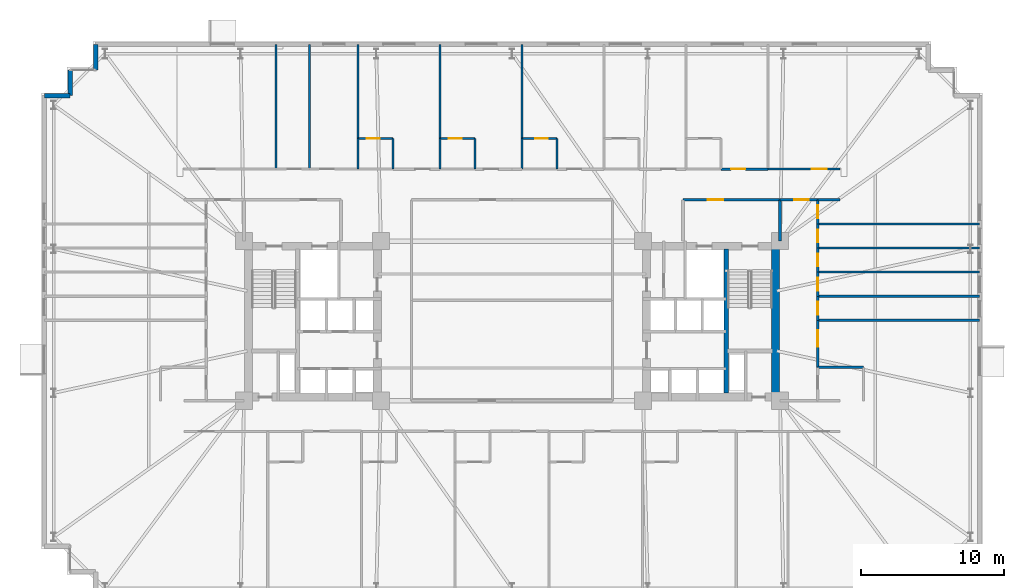
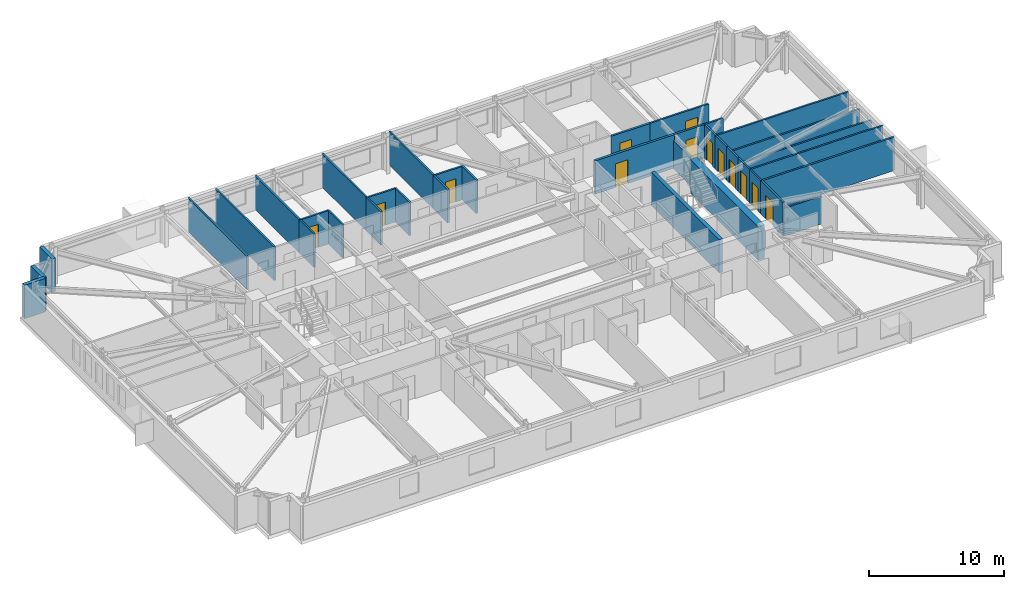
# One storey, part 18 of 22: 37 walls, 13 doors, 13 openings.
"""IFC4 building model written with IfcOpenShell, lengths in metres."""

import ifcopenshell
import ifcopenshell.guid

model = None  # the IFC model being written
_history = None  # IfcOwnerHistory: only IFC2X3 demands one
_inside = {}  # id of a spatial element -> (the spatial element, [elements in it])
_under = {}  # id of a project, library or spatial element -> (it, [spatial elements below it])
_declared = {}  # id of a project -> (the project, [libraries it declares])
_typed = {}  # id of a type object -> (the type object, [elements of that type])
_made_of = {}  # id of a material, layer set ... -> (it, [elements and type objects made of it])


def new_model(schema):
    """Start an empty IFC model of exactly this schema.

    Asked for "IFC4X3", IfcOpenShell would pick the latest addendum, in which some entities
    have other attributes; the version numbers below select the first issue.
    IFC2X3 requires an IfcOwnerHistory on every rooted entity: one is made here for all.
    """
    global model, _history
    if schema == "IFC4X3":
        model = ifcopenshell.file(schema_version=(4, 3, 0, 0))
    else:
        model = ifcopenshell.file(schema=schema)
    _inside.clear()
    _under.clear()
    _declared.clear()
    _typed.clear()
    _made_of.clear()
    _history = None
    if model.schema == "IFC2X3":
        org = make("IfcOrganization", Name="unknown")
        user = make(
            "IfcPersonAndOrganization",
            ThePerson=make("IfcPerson", FamilyName="unknown"),
            TheOrganization=org,
        )
        app = make(
            "IfcApplication",
            ApplicationDeveloper=org,
            Version="unknown",
            ApplicationFullName="unknown",
            ApplicationIdentifier="unknown",
        )
        _history = make(
            "IfcOwnerHistory",
            OwningUser=user,
            OwningApplication=app,
            ChangeAction="ADDED",
            CreationDate=0,
        )
    return model


def make(cls, **values):
    """One entity of the class cls with the attributes given. An attribute that is None is left unset."""
    return model.create_entity(
        cls, **{name: value for name, value in values.items() if value is not None}
    )


def rooted(cls, **values):
    """An entity with a GlobalId (a new one), such as an element, a storey or a relation."""
    return make(cls, GlobalId=ifcopenshell.guid.new(), OwnerHistory=_history, **values)


def si_unit(unit_type, name, prefix=None):
    """IfcSIUnit, for example si_unit("LENGTHUNIT", "METRE", prefix="MILLI")."""
    return make("IfcSIUnit", UnitType=unit_type, Prefix=prefix, Name=name)


def assignment(units):
    """IfcUnitAssignment: the units of a project."""
    return None if units is None else make("IfcUnitAssignment", Units=units)


def point(xyz):
    """IfcCartesianPoint."""
    return None if xyz is None else make("IfcCartesianPoint", Coordinates=xyz)


def direction(xyz):
    """IfcDirection."""
    return None if xyz is None else make("IfcDirection", DirectionRatios=xyz)


def frame(location, z_axis=None, x_axis=None):
    """IfcAxis2Placement3D, a coordinate frame: its origin and axes. An axis left out is left unset."""
    return make(
        "IfcAxis2Placement3D",
        Location=point(location),
        Axis=direction(z_axis),
        RefDirection=direction(x_axis),
    )


def frame_2d(location, x_axis=None):
    """IfcAxis2Placement2D, a coordinate frame in the plane: its origin and x axis."""
    return make(
        "IfcAxis2Placement2D", Location=point(location), RefDirection=direction(x_axis)
    )


def origin():
    """The frame at (0, 0, 0) with its axes left unset."""
    return frame((0.0, 0.0, 0.0))


def place(relative_to, where):
    """IfcLocalPlacement: puts the frame where relative to a parent placement (None: the world)."""
    return make(
        "IfcLocalPlacement", PlacementRelTo=relative_to, RelativePlacement=where
    )


def context(
    kind, dimensions, precision=None, world=None, true_north=None, identifier=None
):
    """IfcGeometricRepresentationContext, for example the 3D "Model" context."""
    return make(
        "IfcGeometricRepresentationContext",
        ContextIdentifier=identifier,
        ContextType=kind,
        CoordinateSpaceDimension=dimensions,
        Precision=precision,
        WorldCoordinateSystem=world,
        TrueNorth=true_north,
    )


def subcontext(parent, identifier, kind, view, scale=None):
    """IfcGeometricRepresentationSubContext, for example "Body" below "Model"."""
    return make(
        "IfcGeometricRepresentationSubContext",
        ContextIdentifier=identifier,
        ContextType=kind,
        ParentContext=parent,
        TargetScale=scale,
        TargetView=view,
    )


def project(units=None, contexts=None):
    """IfcProject with its units and contexts."""
    return rooted(
        "IfcProject",
        Name="project",
        RepresentationContexts=contexts,
        UnitsInContext=assignment(units),
    )


def spatial(cls, under=None, at=None, **own):
    """A site, building, storey or space (cls), placed at a placement, below another one or the project."""
    s = rooted(cls, ObjectPlacement=at, **own)
    if under is not None:
        _under.setdefault(under.id(), (under, []))[1].append(s)
    return s


def profile(cls, at=None, kind="AREA", **sizes):
    """A parametric profile (cls). Its sizes go by their IFC names, for example OverallWidth=200.0."""
    return make(cls, ProfileType=kind, Position=at, **sizes)


def rectangle(**sizes):
    """IfcRectangleProfileDef."""
    return profile("IfcRectangleProfileDef", **sizes)


def extrude(swept, where, along, depth):
    """IfcExtrudedAreaSolid: the profile swept, set in the frame where, extruded along a direction by depth."""
    return make(
        "IfcExtrudedAreaSolid",
        SweptArea=swept,
        Position=where,
        ExtrudedDirection=direction(along),
        Depth=depth,
    )


def shape(context_of_items, identifier, shape_type, items):
    """IfcShapeRepresentation: the items that make up one representation, for example the "Body"."""
    return make(
        "IfcShapeRepresentation",
        ContextOfItems=context_of_items,
        RepresentationIdentifier=identifier,
        RepresentationType=shape_type,
        Items=items,
    )


def material(Name=None, Category=None):
    """IfcMaterial."""
    return make("IfcMaterial", Name=Name, Category=Category)


def layer(
    of_material, thickness, ventilated=None, Name=None, Category=None, Priority=None
):
    """IfcMaterialLayer: one layer of a wall or slab, of a material (None: an air gap)."""
    return make(
        "IfcMaterialLayer",
        Material=of_material,
        LayerThickness=thickness,
        IsVentilated=ventilated,
        Name=Name,
        Category=Category,
        Priority=Priority,
    )


def layer_set(layers, Name=None):
    """IfcMaterialLayerSet."""
    return make("IfcMaterialLayerSet", MaterialLayers=layers, LayerSetName=Name)


def made_of(thing, what):
    """Note that an element or type object is made of a material, layer set ...; save() writes the relation."""
    if what is not None:
        _made_of.setdefault(what.id(), (what, []))[1].append(thing)
    return thing


def type_object(cls, material=None, **own):
    """A type object (cls), such as IfcWallType, which elements share."""
    return made_of(rooted(cls, **own), material)


def element(
    cls,
    number,
    at=None,
    inside=None,
    cuts=None,
    type_object=None,
    material=None,
    context=None,
    identifier="Body",
    shape_type=None,
    held_by="IfcProductDefinitionShape",
    body=None,
    shapes=None,
    **own,
):
    """One element of the class cls, such as IfcWall. Its Tag is "e" and its number.

    at: its placement. inside: the storey or other place that contains it. cuts: it is an
    opening in that element (IfcRelVoidsElement). A single representation is given by context,
    identifier, shape_type and body (its items); several are given by shapes. held_by: the class
    of the entity that holds the representations. save() writes the other relations.
    """
    e = rooted(cls, Tag="e%d" % number, ObjectPlacement=at, **own)
    if body is not None:
        shapes = [shape(context, identifier, shape_type, body)]
    if shapes is not None:
        e.Representation = make(held_by, Representations=shapes)
    if inside is not None:
        _inside.setdefault(inside.id(), (inside, []))[1].append(e)
    if cuts is not None:
        rooted(
            "IfcRelVoidsElement", RelatingBuildingElement=cuts, RelatedOpeningElement=e
        )
    if type_object is not None:
        _typed.setdefault(type_object.id(), (type_object, []))[1].append(e)
    return made_of(e, material)


def fill(opening, filler):
    """IfcRelFillsElement: the door or window that sits in an opening."""
    return rooted(
        "IfcRelFillsElement",
        RelatingOpeningElement=opening,
        RelatedBuildingElement=filler,
    )


def aggregate(whole, parts):
    """IfcRelAggregates: a whole, such as a stair, and the parts it consists of."""
    return rooted("IfcRelAggregates", RelatingObject=whole, RelatedObjects=parts)


def save(model, path):
    """Write the relations noted so far, then the file.

    IfcRelAggregates (storeys below a building ...), IfcRelContainedInSpatialStructure (elements
    in a storey), IfcRelDefinesByType, IfcRelAssociatesMaterial and IfcRelDeclares: one each for
    every whole, place, type object, material and project.
    """
    for whole, parts in _under.values():
        aggregate(whole, parts)
    for where, things in _inside.values():
        rooted(
            "IfcRelContainedInSpatialStructure",
            RelatedElements=things,
            RelatingStructure=where,
        )
    for kind, things in _typed.values():
        rooted("IfcRelDefinesByType", RelatedObjects=things, RelatingType=kind)
    for what, things in _made_of.values():
        rooted("IfcRelAssociatesMaterial", RelatedObjects=things, RelatingMaterial=what)
    for by, libraries in _declared.values():
        rooted("IfcRelDeclares", RelatingContext=by, RelatedDefinitions=libraries)
    model.write(path)


model = new_model("IFC4")

# Units and contexts
model_context = context("Model", 3, precision=1e-05, world=origin(), true_north=direction((0.0, 1.0)))
body_context = subcontext(model_context, "Body", "Model", "MODEL_VIEW")
ifc_project = project(units=[si_unit("LENGTHUNIT", "METRE"), si_unit("AREAUNIT", "SQUARE_METRE"), si_unit("VOLUMEUNIT", "CUBIC_METRE"), si_unit("PLANEANGLEUNIT", "RADIAN"), si_unit("MASSUNIT", "GRAM", prefix="KILO")], contexts=[model_context])

# Site, building, storey
site_placement = place(None, origin())
site = spatial("IfcSite", under=ifc_project, at=site_placement, CompositionType="ELEMENT")
building_placement = place(site_placement, origin())
building = spatial("IfcBuilding", under=site, at=building_placement, Name="Qobustan Lattice House", CompositionType="ELEMENT")
storey_placement = place(building_placement, frame((0.0, 0.0, 53.800048828125)))
storey = spatial("IfcBuildingStorey", under=building, at=storey_placement, Name="L14", CompositionType="ELEMENT", Elevation=53.800048828125)

# Walls
ifc_material_1 = material(Name="Concrete C60/75", Category="concrete")
ifc_layer_1 = layer(ifc_material_1, 0.56005859375)
ifc_layer_set_1 = layer_set([ifc_layer_1], Name="Concrete C60/75")
wall_type_1 = type_object("IfcWallType", Name="WAL-CORE-600", PredefinedType="SHEAR", material=ifc_layer_set_1)
wall_1_placement = place(storey_placement, frame((18.489990234375, -5.050048828125, 0.0), z_axis=(0.0, 0.0, 1.0), x_axis=(0.0, 1.0, 0.0)))
element("IfcWall", 1, at=wall_1_placement, inside=storey, type_object=wall_type_1, Name="L14 split-core shear wall CE-E", PredefinedType="SHEAR", context=body_context, shape_type="SweptSolid", body=[
    extrude(rectangle(XDim=10.10009765625, YDim=0.56005859375, at=frame_2d((5.050048828125, 0.0))), origin(), (0.0, 0.0, 1.0), 3.034912109375),
])
ifc_material_2 = material(Name="Concrete C50/60", Category="concrete")
ifc_layer_2 = layer(ifc_material_2, 0.280029296875)
ifc_layer_set_2 = layer_set([ifc_layer_2], Name="Concrete C50/60")
wall_type_2 = type_object("IfcWallType", Name="WAL-CORE-SPINE-280", PredefinedType="SHEAR", material=ifc_layer_set_2)
wall_2_placement = place(storey_placement, frame((15.02001953125, -5.050048828125, 0.0), z_axis=(0.0, 0.0, 1.0), x_axis=(0.0, 1.0, 0.0)))
element("IfcWall", 2, at=wall_2_placement, inside=storey, type_object=wall_type_2, Name="L14 split-core shear wall CE-M", PredefinedType="SHEAR", context=body_context, shape_type="SweptSolid", body=[
    extrude(rectangle(XDim=10.10009765625, YDim=0.300048828125, at=frame_2d((5.050048828125, 0.0))), origin(), (0.0, 0.0, 1.0), 3.034912109375),
])
ifc_material_3 = material(Name="Precast concrete C40/50", Category="concrete")
ifc_layer_3 = layer(ifc_material_3, 0.320068359375)
ifc_layer_set_3 = layer_set([ifc_layer_3], Name="Precast concrete C40/50")
wall_type_3 = type_object("IfcWallType", Name="WAL-EXT-STONE-320", PredefinedType="SOLIDWALL", material=ifc_layer_set_3)
for number, where, z_axis, x_axis, name in (
    (3, (-32.800048828125, 15.800048828125, 0.0), (0.0, 0.0, 1.0), (1.0, 0.0, 0.0), "L14 exterior limestone-clad wall 6"),
    (4, (-31.0, 15.800048828125, 0.0), (0.0, 0.0, 1.0), (0.0, 1.0, 0.0), "L14 exterior limestone-clad wall 7"),
):
    element("IfcWall", number, at=place(storey_placement, frame(where, z_axis=z_axis, x_axis=x_axis)), inside=storey, type_object=wall_type_3, Name=name, PredefinedType="SOLIDWALL", context=body_context, shape_type="SweptSolid", body=[
        extrude(rectangle(XDim=1.800048828125, YDim=0.320068359375, at=frame_2d((0.89990234375, 0.0))), origin(), (0.0, 0.0, 1.0), 3.034912109375),
    ])
wall_3_placement = place(storey_placement, frame((-29.199951171875, 17.60009765625, 0.0), z_axis=(0.0, 0.0, 1.0), x_axis=(0.0, 1.0, 0.0)))
element("IfcWall", 5, at=wall_3_placement, inside=storey, type_object=wall_type_3, Name="L14 exterior limestone-clad wall 9", PredefinedType="SOLIDWALL", context=body_context, shape_type="SweptSolid", body=[
    extrude(rectangle(XDim=1.7998046875, YDim=0.320068359375, at=frame_2d((0.89990234375, 0.0))), origin(), (0.0, 0.0, 1.0), 3.034912109375),
])

# Wall, opening, door
ifc_material_4 = material(Name="Gypsum fireboard acoustic partition", Category="gypsum")
ifc_layer_4 = layer(ifc_material_4, 0.179931640625)
ifc_layer_set_4 = layer_set([ifc_layer_4], Name="Gypsum fireboard acoustic partition")
wall_type_4 = type_object("IfcWallType", Name="WAL-FIRE-180", PredefinedType="PARTITIONING", material=ifc_layer_set_4)
wall_4_placement = place(storey_placement, frame((21.449951171875, 8.5, 0.0), z_axis=(0.0, 0.0, 1.0), x_axis=(-1.0, 0.0, 0.0)))
wall_4 = element("IfcWall", 6, at=wall_4_placement, inside=storey, type_object=wall_type_4, Name="L14 interior partition 46", PredefinedType="PARTITIONING", context=body_context, shape_type="SweptSolid", body=[
    extrude(rectangle(XDim=2.64990234375, YDim=0.179931640625, at=frame_2d((1.324951171875, 0.0))), origin(), (0.0, 0.0, 1.0), 3.034912109375),
])
opening_1_placement = place(wall_4_placement, frame((0.64111328125, 0.0, 0.0)))
opening_1 = element("IfcOpeningElement", 7, at=opening_1_placement, cuts=wall_4, Name="Opening FD-02", PredefinedType="OPENING", context=body_context, shape_type="SweptSolid", body=[
    extrude(rectangle(XDim=1.0, YDim=2.14990234375, at=frame_2d((0.5, 1.074951171875))), frame((0.0, 0.099853515625, 0.0), z_axis=(0.0, -1.0, 0.0), x_axis=(1.0, 0.0, 0.0)), (0.0, 0.0, 1.0), 0.199951171875),
])
ifc_material_5 = material(Name="Persian walnut timber and steel frame door", Category="steel")
door_type_1 = type_object("IfcDoorType", Name="DOR-UNIT-FD-1000x2150", OperationType="NOTDEFINED", PredefinedType="DOOR", material=ifc_material_5)
door_1_placement = place(opening_1_placement, origin())
door_1 = element("IfcDoor", 8, at=door_1_placement, inside=storey, type_object=door_type_1, Name="L14 North-east floor corridor to Residence entrance hall L14E door", OperationType="SINGLE_SWING_RIGHT", OverallHeight=2.14990234375, OverallWidth=1.0, PredefinedType="DOOR", context=body_context, shape_type="SweptSolid", body=[
    extrude(rectangle(XDim=1.0, YDim=2.14990234375, at=frame_2d((0.5, 1.074951171875))), frame((0.0, 0.02490234375, 0.0), z_axis=(0.0, -1.0, 0.0), x_axis=(1.0, 0.0, 0.0)), (0.0, 0.0, 1.0), 0.050048828125),
])
fill(opening_1, door_1)

wall_5_placement = place(storey_placement, frame((14.64990234375, 10.64990234375, 0.0), z_axis=(0.0, 0.0, 1.0), x_axis=(1.0, 0.0, 0.0)))
wall_5 = element("IfcWall", 9, at=wall_5_placement, inside=storey, type_object=wall_type_4, Name="L14 interior partition 53", PredefinedType="PARTITIONING", context=body_context, shape_type="SweptSolid", body=[
    extrude(rectangle(XDim=3.300048828125, YDim=0.179931640625, at=frame_2d((1.64990234375, 0.0))), origin(), (0.0, 0.0, 1.0), 3.034912109375),
])
opening_2_placement = place(wall_5_placement, frame((0.722412109375, 0.0, 0.0)))
opening_2 = element("IfcOpeningElement", 10, at=opening_2_placement, cuts=wall_5, Name="Opening FD-02", PredefinedType="OPENING", context=body_context, shape_type="SweptSolid", body=[
    extrude(rectangle(XDim=1.0, YDim=2.14990234375, at=frame_2d((0.5, 1.074951171875))), frame((0.0, 0.099853515625, 0.0), z_axis=(0.0, -1.0, 0.0), x_axis=(1.0, 0.0, 0.0)), (0.0, 0.0, 1.0), 0.199951171875),
])
door_2_placement = place(opening_2_placement, origin())
door_2 = element("IfcDoor", 11, at=door_2_placement, inside=storey, type_object=door_type_1, Name="L14 North-east floor corridor to Kitchenette and studio apartment L14-N7 door", OperationType="SINGLE_SWING_LEFT", OverallHeight=2.14990234375, OverallWidth=1.0, PredefinedType="DOOR", context=body_context, shape_type="SweptSolid", body=[
    extrude(rectangle(XDim=1.0, YDim=2.14990234375, at=frame_2d((0.5, 1.074951171875))), frame((0.0, 0.02490234375, 0.0), z_axis=(0.0, -1.0, 0.0), x_axis=(1.0, 0.0, 0.0)), (0.0, 0.0, 1.0), 0.050048828125),
])
fill(opening_2, door_2)

# Wall
ifc_material_6 = material(Name="Acoustic twin-stud gypsum partition", Category="gypsum")
ifc_layer_5 = layer(ifc_material_6, 0.14990234375)
ifc_layer_set_5 = layer_set([ifc_layer_5], Name="Acoustic twin-stud gypsum partition")
wall_type_5 = type_object("IfcWallType", Name="WAL-PART-150", PredefinedType="PARTITIONING", material=ifc_layer_set_5)
wall_6_placement = place(storey_placement, frame((23.0, 8.5, 0.0), z_axis=(0.0, 0.0, 1.0), x_axis=(-1.0, 0.0, 0.0)))
element("IfcWall", 12, at=wall_6_placement, inside=storey, type_object=wall_type_5, Name="L14 interior partition 47", PredefinedType="PARTITIONING", context=body_context, shape_type="SweptSolid", body=[
    extrude(rectangle(XDim=1.550048828125, YDim=0.14990234375, at=frame_2d((0.77490234375, 0.0))), origin(), (0.0, 0.0, 1.0), 3.034912109375),
])

# Wall, opening, door
wall_7_placement = place(storey_placement, frame((17.949951171875, 10.64990234375, 0.0), z_axis=(0.0, 0.0, 1.0), x_axis=(1.0, 0.0, 0.0)))
wall_7 = element("IfcWall", 13, at=wall_7_placement, inside=storey, type_object=wall_type_5, Name="L14 interior partition 55", PredefinedType="PARTITIONING", context=body_context, shape_type="SweptSolid", body=[
    extrude(rectangle(XDim=5.050048828125, YDim=0.14990234375, at=frame_2d((2.52490234375, 0.0))), origin(), (0.0, 0.0, 1.0), 3.034912109375),
])
opening_3_placement = place(wall_7_placement, frame((3.06494140625, 0.0, 0.0)))
opening_3 = element("IfcOpeningElement", 14, at=opening_3_placement, cuts=wall_7, Name="Opening ID-02", PredefinedType="OPENING", context=body_context, shape_type="SweptSolid", body=[
    extrude(rectangle(XDim=1.050048828125, YDim=2.14990234375, at=frame_2d((0.52490234375, 1.074951171875))), frame((0.0, 0.0849609375, 0.0), z_axis=(0.0, -1.0, 0.0), x_axis=(1.0, 0.0, 0.0)), (0.0, 0.0, 1.0), 0.169921875),
])
ifc_material_7 = material(Name="Persian walnut timber and steel frame door", Category="steel")
door_type_2 = type_object("IfcDoorType", Name="DOR-STUDY-1050x2150", OperationType="NOTDEFINED", PredefinedType="DOOR", material=ifc_material_7)
door_3_placement = place(opening_3_placement, origin())
door_3 = element("IfcDoor", 15, at=door_3_placement, inside=storey, type_object=door_type_2, Name="L14 North-east floor corridor to Focus study room N8 door", OperationType="SINGLE_SWING_RIGHT", OverallHeight=2.14990234375, OverallWidth=1.050048828125, PredefinedType="DOOR", context=body_context, shape_type="SweptSolid", body=[
    extrude(rectangle(XDim=1.050048828125, YDim=2.14990234375, at=frame_2d((0.52490234375, 1.074951171875))), frame((0.0, 0.02490234375, 0.0), z_axis=(0.0, -1.0, 0.0), x_axis=(1.0, 0.0, 0.0)), (0.0, 0.0, 1.0), 0.050048828125),
])
fill(opening_3, door_3)

wall_8_placement = place(storey_placement, frame((21.449951171875, 1.73193359375, 0.0), z_axis=(0.0, 0.0, 1.0), x_axis=(0.0, -1.0, 0.0)))
wall_8 = element("IfcWall", 16, at=wall_8_placement, inside=storey, type_object=wall_type_5, Name="L14 interior partition 97", PredefinedType="PARTITIONING", context=body_context, shape_type="SweptSolid", body=[
    extrude(rectangle(XDim=1.69189453125, YDim=0.14990234375, at=frame_2d((0.845947265625, 0.0))), origin(), (0.0, 0.0, 1.0), 3.034912109375),
])
opening_4_placement = place(wall_8_placement, frame((0.39599609375, 0.0, 0.0)))
opening_4 = element("IfcOpeningElement", 17, at=opening_4_placement, cuts=wall_8, Name="Opening WD-01", PredefinedType="OPENING", context=body_context, shape_type="SweptSolid", body=[
    extrude(rectangle(XDim=0.89990234375, YDim=2.10009765625, at=frame_2d((0.449951171875, 1.050048828125))), frame((0.0, 0.0849609375, 0.0), z_axis=(0.0, -1.0, 0.0), x_axis=(1.0, 0.0, 0.0)), (0.0, 0.0, 1.0), 0.169921875),
])
ifc_material_8 = material(Name="Persian walnut timber and steel frame door", Category="steel")
door_type_3 = type_object("IfcDoorType", Name="DOR-WET-900x2100", OperationType="NOTDEFINED", PredefinedType="DOOR", material=ifc_material_8)
door_4_placement = place(opening_4_placement, origin())
door_4 = element("IfcDoor", 18, at=door_4_placement, inside=storey, type_object=door_type_3, Name="L14 Residence entrance hall L14E to Cluster bedroom L14E1 door", OperationType="SINGLE_SWING_LEFT", OverallHeight=2.10009765625, OverallWidth=0.89990234375, PredefinedType="DOOR", context=body_context, shape_type="SweptSolid", body=[
    extrude(rectangle(XDim=0.89990234375, YDim=2.10009765625, at=frame_2d((0.449951171875, 1.050048828125))), frame((0.0, 0.02490234375, 0.0), z_axis=(0.0, -1.0, 0.0), x_axis=(1.0, 0.0, 0.0)), (0.0, 0.0, 1.0), 0.050048828125),
])
fill(opening_4, door_4)

wall_9_placement = place(storey_placement, frame((21.449951171875, 3.424072265625, 0.0), z_axis=(0.0, 0.0, 1.0), x_axis=(0.0, -1.0, 0.0)))
wall_9 = element("IfcWall", 19, at=wall_9_placement, inside=storey, type_object=wall_type_5, Name="L14 interior partition 98", PredefinedType="PARTITIONING", context=body_context, shape_type="SweptSolid", body=[
    extrude(rectangle(XDim=1.692138671875, YDim=0.14990234375, at=frame_2d((0.84619140625, 0.0))), origin(), (0.0, 0.0, 1.0), 3.034912109375),
])
opening_5_placement = place(wall_9_placement, frame((0.39599609375, 0.0, 0.0)))
opening_5 = element("IfcOpeningElement", 20, at=opening_5_placement, cuts=wall_9, Name="Opening WD-01", PredefinedType="OPENING", context=body_context, shape_type="SweptSolid", body=[
    extrude(rectangle(XDim=0.89990234375, YDim=2.10009765625, at=frame_2d((0.449951171875, 1.050048828125))), frame((0.0, 0.0849609375, 0.0), z_axis=(0.0, -1.0, 0.0), x_axis=(1.0, 0.0, 0.0)), (0.0, 0.0, 1.0), 0.169921875),
])
door_5_placement = place(opening_5_placement, origin())
door_5 = element("IfcDoor", 21, at=door_5_placement, inside=storey, type_object=door_type_3, Name="L14 Residence entrance hall L14E to Cluster bedroom L14E2 door", OperationType="SINGLE_SWING_RIGHT", OverallHeight=2.10009765625, OverallWidth=0.89990234375, PredefinedType="DOOR", context=body_context, shape_type="SweptSolid", body=[
    extrude(rectangle(XDim=0.89990234375, YDim=2.10009765625, at=frame_2d((0.449951171875, 1.050048828125))), frame((0.0, 0.02490234375, 0.0), z_axis=(0.0, -1.0, 0.0), x_axis=(1.0, 0.0, 0.0)), (0.0, 0.0, 1.0), 0.050048828125),
])
fill(opening_5, door_5)

wall_10_placement = place(storey_placement, frame((21.449951171875, 5.115966796875, 0.0), z_axis=(0.0, 0.0, 1.0), x_axis=(0.0, -1.0, 0.0)))
wall_10 = element("IfcWall", 22, at=wall_10_placement, inside=storey, type_object=wall_type_5, Name="L14 interior partition 99", PredefinedType="PARTITIONING", context=body_context, shape_type="SweptSolid", body=[
    extrude(rectangle(XDim=1.69189453125, YDim=0.14990234375, at=frame_2d((0.845947265625, 0.0))), origin(), (0.0, 0.0, 1.0), 3.034912109375),
])
opening_6_placement = place(wall_10_placement, frame((0.39599609375, 0.0, 0.0)))
opening_6 = element("IfcOpeningElement", 23, at=opening_6_placement, cuts=wall_10, Name="Opening WD-01", PredefinedType="OPENING", context=body_context, shape_type="SweptSolid", body=[
    extrude(rectangle(XDim=0.89990234375, YDim=2.10009765625, at=frame_2d((0.449951171875, 1.050048828125))), frame((0.0, 0.0849609375, 0.0), z_axis=(0.0, -1.0, 0.0), x_axis=(1.0, 0.0, 0.0)), (0.0, 0.0, 1.0), 0.169921875),
])
door_6_placement = place(opening_6_placement, origin())
door_6 = element("IfcDoor", 24, at=door_6_placement, inside=storey, type_object=door_type_3, Name="L14 Residence entrance hall L14E to Cluster bedroom L14E3 door", OperationType="SINGLE_SWING_LEFT", OverallHeight=2.10009765625, OverallWidth=0.89990234375, PredefinedType="DOOR", context=body_context, shape_type="SweptSolid", body=[
    extrude(rectangle(XDim=0.89990234375, YDim=2.10009765625, at=frame_2d((0.449951171875, 1.050048828125))), frame((0.0, 0.02490234375, 0.0), z_axis=(0.0, -1.0, 0.0), x_axis=(1.0, 0.0, 0.0)), (0.0, 0.0, 1.0), 0.050048828125),
])
fill(opening_6, door_6)

wall_11_placement = place(storey_placement, frame((21.449951171875, 6.80810546875, 0.0), z_axis=(0.0, 0.0, 1.0), x_axis=(0.0, -1.0, 0.0)))
wall_11 = element("IfcWall", 25, at=wall_11_placement, inside=storey, type_object=wall_type_5, Name="L14 interior partition 100", PredefinedType="PARTITIONING", context=body_context, shape_type="SweptSolid", body=[
    extrude(rectangle(XDim=1.692138671875, YDim=0.14990234375, at=frame_2d((0.84619140625, 0.0))), origin(), (0.0, 0.0, 1.0), 3.034912109375),
])
opening_7_placement = place(wall_11_placement, frame((0.39599609375, 0.0, 0.0)))
opening_7 = element("IfcOpeningElement", 26, at=opening_7_placement, cuts=wall_11, Name="Opening WD-01", PredefinedType="OPENING", context=body_context, shape_type="SweptSolid", body=[
    extrude(rectangle(XDim=0.89990234375, YDim=2.10009765625, at=frame_2d((0.449951171875, 1.050048828125))), frame((0.0, 0.0849609375, 0.0), z_axis=(0.0, -1.0, 0.0), x_axis=(1.0, 0.0, 0.0)), (0.0, 0.0, 1.0), 0.169921875),
])
door_7_placement = place(opening_7_placement, origin())
door_7 = element("IfcDoor", 27, at=door_7_placement, inside=storey, type_object=door_type_3, Name="L14 Residence entrance hall L14E to Cluster bedroom L14E4 door", OperationType="SINGLE_SWING_RIGHT", OverallHeight=2.10009765625, OverallWidth=0.89990234375, PredefinedType="DOOR", context=body_context, shape_type="SweptSolid", body=[
    extrude(rectangle(XDim=0.89990234375, YDim=2.10009765625, at=frame_2d((0.449951171875, 1.050048828125))), frame((0.0, 0.02490234375, 0.0), z_axis=(0.0, -1.0, 0.0), x_axis=(1.0, 0.0, 0.0)), (0.0, 0.0, 1.0), 0.050048828125),
])
fill(opening_7, door_7)

wall_12_placement = place(storey_placement, frame((21.449951171875, 8.5, 0.0), z_axis=(0.0, 0.0, 1.0), x_axis=(0.0, -1.0, 0.0)))
wall_12 = element("IfcWall", 28, at=wall_12_placement, inside=storey, type_object=wall_type_5, Name="L14 interior partition 101", PredefinedType="PARTITIONING", context=body_context, shape_type="SweptSolid", body=[
    extrude(rectangle(XDim=1.69189453125, YDim=0.14990234375, at=frame_2d((0.845947265625, 0.0))), origin(), (0.0, 0.0, 1.0), 3.034912109375),
])
opening_8_placement = place(wall_12_placement, frame((0.39599609375, 0.0, 0.0)))
opening_8 = element("IfcOpeningElement", 29, at=opening_8_placement, cuts=wall_12, Name="Opening WD-01", PredefinedType="OPENING", context=body_context, shape_type="SweptSolid", body=[
    extrude(rectangle(XDim=0.89990234375, YDim=2.10009765625, at=frame_2d((0.449951171875, 1.050048828125))), frame((0.0, 0.0849609375, 0.0), z_axis=(0.0, -1.0, 0.0), x_axis=(1.0, 0.0, 0.0)), (0.0, 0.0, 1.0), 0.169921875),
])
door_8_placement = place(opening_8_placement, origin())
door_8 = element("IfcDoor", 30, at=door_8_placement, inside=storey, type_object=door_type_3, Name="L14 Residence entrance hall L14E to Cluster bedroom L14E5 door", OperationType="SINGLE_SWING_LEFT", OverallHeight=2.10009765625, OverallWidth=0.89990234375, PredefinedType="DOOR", context=body_context, shape_type="SweptSolid", body=[
    extrude(rectangle(XDim=0.89990234375, YDim=2.10009765625, at=frame_2d((0.449951171875, 1.050048828125))), frame((0.0, 0.02490234375, 0.0), z_axis=(0.0, -1.0, 0.0), x_axis=(1.0, 0.0, 0.0)), (0.0, 0.0, 1.0), 0.050048828125),
])
fill(opening_8, door_8)

# Walls
wall_13_placement = place(storey_placement, frame((21.449951171875, 1.73193359375, 0.0), z_axis=(0.0, 0.0, 1.0), x_axis=(1.0, 0.0, 0.0)))
element("IfcWall", 31, at=wall_13_placement, inside=storey, type_object=wall_type_5, Name="L14 interior partition 105", PredefinedType="PARTITIONING", context=body_context, shape_type="SweptSolid", body=[
    extrude(rectangle(XDim=11.35009765625, YDim=0.14990234375, at=frame_2d((5.675048828125, 0.0))), origin(), (0.0, 0.0, 1.0), 3.034912109375),
])
for number, where, z_axis, x_axis, name in (
    (32, (21.449951171875, 3.424072265625, 0.0), (0.0, 0.0, 1.0), (1.0, 0.0, 0.0), "L14 interior partition 106"),
    (33, (21.449951171875, 5.115966796875, 0.0), (0.0, 0.0, 1.0), (1.0, 0.0, 0.0), "L14 interior partition 107"),
):
    element("IfcWall", number, at=place(storey_placement, frame(where, z_axis=z_axis, x_axis=x_axis)), inside=storey, type_object=wall_type_5, Name=name, PredefinedType="PARTITIONING", context=body_context, shape_type="SweptSolid", body=[
        extrude(rectangle(XDim=11.35009765625, YDim=0.14990234375, at=frame_2d((5.675048828125, 0.0))), origin(), (0.0, 0.0, 1.0), 2.52001953125),
    ])
wall_14_placement = place(storey_placement, frame((21.449951171875, 6.80810546875, 0.0), z_axis=(0.0, 0.0, 1.0), x_axis=(1.0, 0.0, 0.0)))
element("IfcWall", 34, at=wall_14_placement, inside=storey, type_object=wall_type_5, Name="L14 interior partition 108", PredefinedType="PARTITIONING", context=body_context, shape_type="SweptSolid", body=[
    extrude(rectangle(XDim=11.35009765625, YDim=0.14990234375, at=frame_2d((5.675048828125, 0.0))), origin(), (0.0, 0.0, 1.0), 3.034912109375),
])
for number, where, z_axis, x_axis, name in (
    (35, (-10.800048828125, 19.39990234375, 0.0), (0.0, 0.0, 1.0), (0.0, -1.0, 0.0), "L14 interior partition 111"),
    (36, (-5.050048828125, 19.39990234375, 0.0), (0.0, 0.0, 1.0), (0.0, -1.0, 0.0), "L14 interior partition 115"),
    (37, (0.699951171875, 19.39990234375, 0.0), (0.0, 0.0, 1.0), (0.0, -1.0, 0.0), "L14 interior partition 119"),
):
    element("IfcWall", number, at=place(storey_placement, frame(where, z_axis=z_axis, x_axis=x_axis)), inside=storey, type_object=wall_type_5, Name=name, PredefinedType="PARTITIONING", context=body_context, shape_type="SweptSolid", body=[
        extrude(rectangle(XDim=6.599853515625, YDim=0.14990234375, at=frame_2d((3.2998046875, 0.0))), origin(), (0.0, 0.0, 1.0), 3.034912109375),
    ])

# Wall, opening, door
ifc_material_9 = material(Name="High-mass acoustic twin-stud partition", Category="gypsum")
ifc_layer_6 = layer(ifc_material_9, 0.1650390625)
ifc_layer_set_6 = layer_set([ifc_layer_6], Name="High-mass acoustic twin-stud partition")
wall_type_6 = type_object("IfcWallType", Name="WAL-PART-165", PredefinedType="PARTITIONING", material=ifc_layer_set_6)
wall_15_placement = place(storey_placement, frame((21.449951171875, 0.0400390625, 0.0), z_axis=(0.0, 0.0, 1.0), x_axis=(0.0, -1.0, 0.0)))
wall_15 = element("IfcWall", 38, at=wall_15_placement, inside=storey, type_object=wall_type_6, Name="L14 interior partition 96", PredefinedType="PARTITIONING", context=body_context, shape_type="SweptSolid", body=[
    extrude(rectangle(XDim=3.2900390625, YDim=0.1650390625, at=frame_2d((1.64501953125, 0.0))), origin(), (0.0, 0.0, 1.0), 3.034912109375),
])
opening_9_placement = place(wall_15_placement, frame((0.702392578125, 0.0, 0.0)))
opening_9 = element("IfcOpeningElement", 39, at=opening_9_placement, cuts=wall_15, Name="Opening ID-03", PredefinedType="OPENING", context=body_context, shape_type="SweptSolid", body=[
    extrude(rectangle(XDim=1.14990234375, YDim=2.14990234375, at=frame_2d((0.574951171875, 1.074951171875))), frame((0.0, 0.092529296875, 0.0), z_axis=(0.0, -1.0, 0.0), x_axis=(1.0, 0.0, 0.0)), (0.0, 0.0, 1.0), 0.18505859375),
])
ifc_material_10 = material(Name="Persian walnut timber and steel frame door", Category="steel")
door_type_4 = type_object("IfcDoorType", Name="DOR-KITCH-1150x2150", OperationType="NOTDEFINED", PredefinedType="DOOR", material=ifc_material_10)
door_9_placement = place(opening_9_placement, origin())
door_9 = element("IfcDoor", 40, at=door_9_placement, inside=storey, type_object=door_type_4, Name="L14 Residence entrance hall L14E to Shared kitchen L14E door", OperationType="SINGLE_SWING_RIGHT", OverallHeight=2.14990234375, OverallWidth=1.14990234375, PredefinedType="DOOR", context=body_context, shape_type="SweptSolid", body=[
    extrude(rectangle(XDim=1.14990234375, YDim=2.14990234375, at=frame_2d((0.574951171875, 1.074951171875))), frame((0.0, 0.02490234375, 0.0), z_axis=(0.0, -1.0, 0.0), x_axis=(1.0, 0.0, 0.0)), (0.0, 0.0, 1.0), 0.050048828125),
])
fill(opening_9, door_9)

# Wall
wall_16_placement = place(storey_placement, frame((21.449951171875, 0.0400390625, 0.0), z_axis=(0.0, 0.0, 1.0), x_axis=(1.0, 0.0, 0.0)))
element("IfcWall", 41, at=wall_16_placement, inside=storey, type_object=wall_type_6, Name="L14 interior partition 104", PredefinedType="PARTITIONING", context=body_context, shape_type="SweptSolid", body=[
    extrude(rectangle(XDim=11.35009765625, YDim=0.1650390625, at=frame_2d((5.675048828125, 0.0))), origin(), (0.0, 0.0, 1.0), 3.034912109375),
])

# Wall, opening, door
ifc_material_11 = material(Name="Two-hour gypsum fireboard acoustic partition", Category="gypsum")
ifc_layer_7 = layer(ifc_material_11, 0.199951171875)
ifc_layer_set_7 = layer_set([ifc_layer_7], Name="Two-hour gypsum fireboard acoustic partition")
wall_type_7 = type_object("IfcWallType", Name="WAL-PROT-200", PredefinedType="PARTITIONING", material=ifc_layer_set_7)
wall_17_placement = place(storey_placement, frame((18.800048828125, 8.5, 0.0), z_axis=(0.0, 0.0, 1.0), x_axis=(-1.0, 0.0, 0.0)))
wall_17 = element("IfcWall", 42, at=wall_17_placement, inside=storey, type_object=wall_type_7, Name="L14 interior partition 20", PredefinedType="PARTITIONING", context=body_context, shape_type="SweptSolid", body=[
    extrude(rectangle(XDim=6.800048828125, YDim=0.199951171875, at=frame_2d((3.39990234375, 0.0))), origin(), (0.0, 0.0, 1.0), 3.034912109375),
])
opening_10_placement = place(wall_17_placement, frame((3.985107421875, 0.0, 0.0)))
opening_10 = element("IfcOpeningElement", 43, at=opening_10_placement, cuts=wall_17, Name="Opening SD-01", PredefinedType="OPENING", context=body_context, shape_type="SweptSolid", body=[
    extrude(rectangle(XDim=1.10009765625, YDim=2.14990234375, at=frame_2d((0.550048828125, 1.074951171875))), frame((0.0, 0.10986328125, 0.0), z_axis=(0.0, -1.0, 0.0), x_axis=(1.0, 0.0, 0.0)), (0.0, 0.0, 1.0), 0.219970703125),
])
ifc_material_12 = material(Name="Persian walnut timber and steel frame door", Category="steel")
door_type_5 = type_object("IfcDoorType", Name="DOR-STAIR-FD-1100x2150", OperationType="NOTDEFINED", PredefinedType="DOOR", material=ifc_material_12)
door_10_placement = place(opening_10_placement, origin())
door_10 = element("IfcDoor", 44, at=door_10_placement, inside=storey, type_object=door_type_5, Name="L14 East firefighting lift lobby to North-east floor corridor door", OperationType="SINGLE_SWING_LEFT", OverallHeight=2.14990234375, OverallWidth=1.10009765625, PredefinedType="DOOR", context=body_context, shape_type="SweptSolid", body=[
    extrude(rectangle(XDim=1.10009765625, YDim=2.14990234375, at=frame_2d((0.550048828125, 1.074951171875))), frame((0.0, 0.02490234375, 0.0), z_axis=(0.0, -1.0, 0.0), x_axis=(1.0, 0.0, 0.0)), (0.0, 0.0, 1.0), 0.050048828125),
])
fill(opening_10, door_10)

# Walls
wall_18_placement = place(storey_placement, frame((18.800048828125, 5.60009765625, 0.0), z_axis=(0.0, 0.0, 1.0), x_axis=(0.0, 1.0, 0.0)))
element("IfcWall", 45, at=wall_18_placement, inside=storey, type_object=wall_type_7, Name="L14 interior partition 22", PredefinedType="PARTITIONING", context=body_context, shape_type="SweptSolid", body=[
    extrude(rectangle(XDim=2.89990234375, YDim=0.199951171875, at=frame_2d((1.449951171875, 0.0))), origin(), (0.0, 0.0, 1.0), 2.52001953125),
])
ifc_material_13 = material(Name="Moisture-resistant acoustic plumbing wall", Category="gypsum")
ifc_layer_8 = layer(ifc_material_13, 0.14990234375)
ifc_layer_set_8 = layer_set([ifc_layer_8], Name="Moisture-resistant acoustic plumbing wall")
wall_type_8 = type_object("IfcWallType", Name="WAL-WET-150", PredefinedType="PLUMBINGWALL", material=ifc_layer_set_8)
wall_19_placement = place(storey_placement, frame((21.449951171875, -3.25, 0.0), z_axis=(0.0, 0.0, 1.0), x_axis=(1.0, 0.0, 0.0)))
element("IfcWall", 46, at=wall_19_placement, inside=storey, type_object=wall_type_8, Name="L14 interior partition 102", PredefinedType="PLUMBINGWALL", context=body_context, shape_type="SweptSolid", body=[
    extrude(rectangle(XDim=3.199951171875, YDim=0.14990234375, at=frame_2d((1.60009765625, 0.0))), origin(), (0.0, 0.0, 1.0), 2.52001953125),
])
for number, where, z_axis, x_axis, name in (
    (47, (-16.550048828125, 19.39990234375, 0.0), (0.0, 0.0, 1.0), (0.0, -1.0, 0.0), "L14 interior partition 109"),
    (48, (-14.199951171875, 19.39990234375, 0.0), (0.0, 0.0, 1.0), (0.0, -1.0, 0.0), "L14 interior partition 110"),
):
    element("IfcWall", number, at=place(storey_placement, frame(where, z_axis=z_axis, x_axis=x_axis)), inside=storey, type_object=wall_type_8, Name=name, PredefinedType="PLUMBINGWALL", context=body_context, shape_type="SweptSolid", body=[
        extrude(rectangle(XDim=8.75, YDim=0.14990234375, at=frame_2d((4.375, 0.0))), origin(), (0.0, 0.0, 1.0), 3.034912109375),
    ])
wall_20_placement = place(storey_placement, frame((-10.800048828125, 12.800048828125, 0.0), z_axis=(0.0, 0.0, 1.0), x_axis=(0.0, -1.0, 0.0)))
element("IfcWall", 49, at=wall_20_placement, inside=storey, type_object=wall_type_8, Name="L14 interior partition 112", PredefinedType="PLUMBINGWALL", context=body_context, shape_type="SweptSolid", body=[
    extrude(rectangle(XDim=2.150146484375, YDim=0.14990234375, at=frame_2d((1.0751953125, 0.0))), origin(), (0.0, 0.0, 1.0), 3.034912109375),
])

# Wall, opening, door
wall_21_placement = place(storey_placement, frame((-8.35009765625, 12.800048828125, 0.0), z_axis=(0.0, 0.0, 1.0), x_axis=(-1.0, 0.0, 0.0)))
wall_21 = element("IfcWall", 50, at=wall_21_placement, inside=storey, type_object=wall_type_8, Name="L14 interior partition 113", PredefinedType="PLUMBINGWALL", context=body_context, shape_type="SweptSolid", body=[
    extrude(rectangle(XDim=2.449951171875, YDim=0.14990234375, at=frame_2d((1.22509765625, 0.0))), origin(), (0.0, 0.0, 1.0), 3.034912109375),
])
opening_11_placement = place(wall_21_placement, frame((0.92138671875, 0.0, 0.0)))
opening_11 = element("IfcOpeningElement", 51, at=opening_11_placement, cuts=wall_21, Name="Opening WD-01", PredefinedType="OPENING", context=body_context, shape_type="SweptSolid", body=[
    extrude(rectangle(XDim=0.89990234375, YDim=2.10009765625, at=frame_2d((0.449951171875, 1.050048828125))), frame((0.0, 0.0849609375, 0.0), z_axis=(0.0, -1.0, 0.0), x_axis=(1.0, 0.0, 0.0)), (0.0, 0.0, 1.0), 0.169921875),
])
door_11_placement = place(opening_11_placement, origin())
door_11 = element("IfcDoor", 52, at=door_11_placement, inside=storey, type_object=door_type_3, Name="L14 Kitchenette and studio apartment L14-N3 to En-suite bathroom L14-N3 door", OperationType="SINGLE_SWING_RIGHT", OverallHeight=2.10009765625, OverallWidth=0.89990234375, PredefinedType="DOOR", context=body_context, shape_type="SweptSolid", body=[
    extrude(rectangle(XDim=0.89990234375, YDim=2.10009765625, at=frame_2d((0.449951171875, 1.050048828125))), frame((0.0, 0.02490234375, 0.0), z_axis=(0.0, -1.0, 0.0), x_axis=(1.0, 0.0, 0.0)), (0.0, 0.0, 1.0), 0.050048828125),
])
fill(opening_11, door_11)

# Walls
for number, where, z_axis, x_axis, name in (
    (53, (-8.35009765625, 10.64990234375, 0.0), (0.0, 0.0, 1.0), (0.0, 1.0, 0.0), "L14 interior partition 114"),
    (54, (-5.050048828125, 12.800048828125, 0.0), (0.0, 0.0, 1.0), (0.0, -1.0, 0.0), "L14 interior partition 116"),
):
    element("IfcWall", number, at=place(storey_placement, frame(where, z_axis=z_axis, x_axis=x_axis)), inside=storey, type_object=wall_type_8, Name=name, PredefinedType="PLUMBINGWALL", context=body_context, shape_type="SweptSolid", body=[
        extrude(rectangle(XDim=2.150146484375, YDim=0.14990234375, at=frame_2d((1.0751953125, 0.0))), origin(), (0.0, 0.0, 1.0), 3.034912109375),
    ])

# Wall, opening, door
wall_22_placement = place(storey_placement, frame((-2.60009765625, 12.800048828125, 0.0), z_axis=(0.0, 0.0, 1.0), x_axis=(-1.0, 0.0, 0.0)))
wall_22 = element("IfcWall", 55, at=wall_22_placement, inside=storey, type_object=wall_type_8, Name="L14 interior partition 117", PredefinedType="PLUMBINGWALL", context=body_context, shape_type="SweptSolid", body=[
    extrude(rectangle(XDim=2.449951171875, YDim=0.14990234375, at=frame_2d((1.22509765625, 0.0))), origin(), (0.0, 0.0, 1.0), 3.034912109375),
])
opening_12_placement = place(wall_22_placement, frame((0.921142578125, 0.0, 0.0)))
opening_12 = element("IfcOpeningElement", 56, at=opening_12_placement, cuts=wall_22, Name="Opening WD-01", PredefinedType="OPENING", context=body_context, shape_type="SweptSolid", body=[
    extrude(rectangle(XDim=0.89990234375, YDim=2.10009765625, at=frame_2d((0.449951171875, 1.050048828125))), frame((0.0, 0.0849609375, 0.0), z_axis=(0.0, -1.0, 0.0), x_axis=(1.0, 0.0, 0.0)), (0.0, 0.0, 1.0), 0.169921875),
])
door_12_placement = place(opening_12_placement, origin())
door_12 = element("IfcDoor", 57, at=door_12_placement, inside=storey, type_object=door_type_3, Name="L14 Kitchenette and studio apartment L14-N4 to En-suite bathroom L14-N4 door", OperationType="SINGLE_SWING_LEFT", OverallHeight=2.10009765625, OverallWidth=0.89990234375, PredefinedType="DOOR", context=body_context, shape_type="SweptSolid", body=[
    extrude(rectangle(XDim=0.89990234375, YDim=2.10009765625, at=frame_2d((0.449951171875, 1.050048828125))), frame((0.0, 0.02490234375, 0.0), z_axis=(0.0, -1.0, 0.0), x_axis=(1.0, 0.0, 0.0)), (0.0, 0.0, 1.0), 0.050048828125),
])
fill(opening_12, door_12)

# Walls
for number, where, z_axis, x_axis, name in (
    (58, (-2.60009765625, 10.64990234375, 0.0), (0.0, 0.0, 1.0), (0.0, 1.0, 0.0), "L14 interior partition 118"),
    (59, (0.699951171875, 12.800048828125, 0.0), (0.0, 0.0, 1.0), (0.0, -1.0, 0.0), "L14 interior partition 120"),
):
    element("IfcWall", number, at=place(storey_placement, frame(where, z_axis=z_axis, x_axis=x_axis)), inside=storey, type_object=wall_type_8, Name=name, PredefinedType="PLUMBINGWALL", context=body_context, shape_type="SweptSolid", body=[
        extrude(rectangle(XDim=2.150146484375, YDim=0.14990234375, at=frame_2d((1.0751953125, 0.0))), origin(), (0.0, 0.0, 1.0), 3.034912109375),
    ])

# Wall, opening, door
wall_23_placement = place(storey_placement, frame((3.14990234375, 12.800048828125, 0.0), z_axis=(0.0, 0.0, 1.0), x_axis=(-1.0, 0.0, 0.0)))
wall_23 = element("IfcWall", 60, at=wall_23_placement, inside=storey, type_object=wall_type_8, Name="L14 interior partition 121", PredefinedType="PLUMBINGWALL", context=body_context, shape_type="SweptSolid", body=[
    extrude(rectangle(XDim=2.449951171875, YDim=0.14990234375, at=frame_2d((1.22509765625, 0.0))), origin(), (0.0, 0.0, 1.0), 3.034912109375),
])
opening_13_placement = place(wall_23_placement, frame((0.62890625, 0.0, 0.0)))
opening_13 = element("IfcOpeningElement", 61, at=opening_13_placement, cuts=wall_23, Name="Opening WD-01", PredefinedType="OPENING", context=body_context, shape_type="SweptSolid", body=[
    extrude(rectangle(XDim=0.89990234375, YDim=2.10009765625, at=frame_2d((0.449951171875, 1.050048828125))), frame((0.0, 0.0849609375, 0.0), z_axis=(0.0, -1.0, 0.0), x_axis=(1.0, 0.0, 0.0)), (0.0, 0.0, 1.0), 0.169921875),
])
door_13_placement = place(opening_13_placement, origin())
door_13 = element("IfcDoor", 62, at=door_13_placement, inside=storey, type_object=door_type_3, Name="L14 Kitchenette and studio apartment L14-N5 to En-suite bathroom L14-N5 door", OperationType="SINGLE_SWING_RIGHT", OverallHeight=2.10009765625, OverallWidth=0.89990234375, PredefinedType="DOOR", context=body_context, shape_type="SweptSolid", body=[
    extrude(rectangle(XDim=0.89990234375, YDim=2.10009765625, at=frame_2d((0.449951171875, 1.050048828125))), frame((0.0, 0.02490234375, 0.0), z_axis=(0.0, -1.0, 0.0), x_axis=(1.0, 0.0, 0.0)), (0.0, 0.0, 1.0), 0.050048828125),
])
fill(opening_13, door_13)

# Wall
wall_24_placement = place(storey_placement, frame((3.14990234375, 10.64990234375, 0.0), z_axis=(0.0, 0.0, 1.0), x_axis=(0.0, 1.0, 0.0)))
element("IfcWall", 63, at=wall_24_placement, inside=storey, type_object=wall_type_8, Name="L14 interior partition 122", PredefinedType="PLUMBINGWALL", context=body_context, shape_type="SweptSolid", body=[
    extrude(rectangle(XDim=2.150146484375, YDim=0.14990234375, at=frame_2d((1.0751953125, 0.0))), origin(), (0.0, 0.0, 1.0), 3.034912109375),
])

save(model, "model.ifc")
